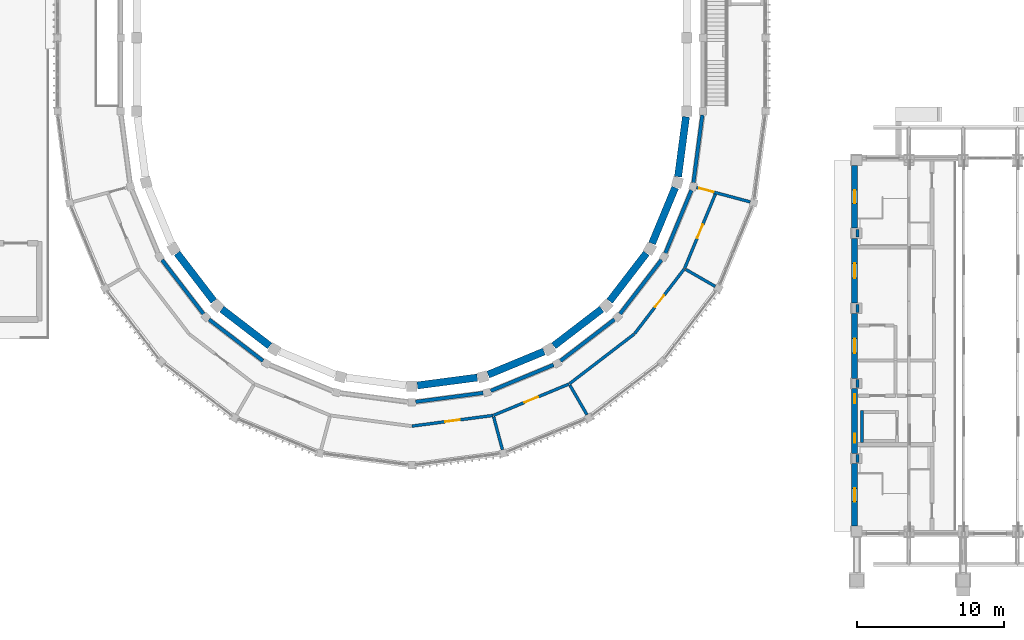
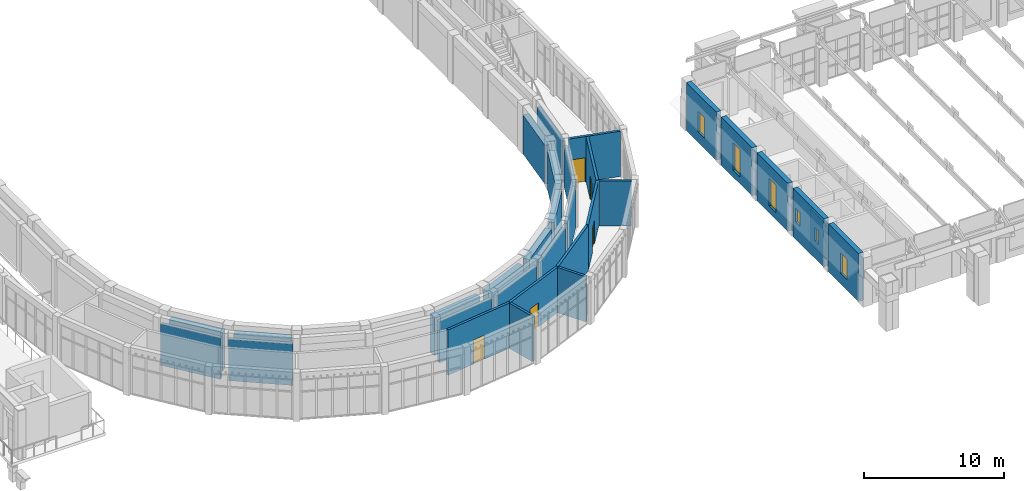
# One storey, part 55 of 99: 35 walls, 6 windows, 5 doors, 11 openings.
"""IFC4 building model written with IfcOpenShell, lengths in metres."""

from ifc_helpers import new_model, si_unit, direction, frame, frame_2d, origin, place, context, subcontext, project, spatial, rectangle, extrude, material, layer, layer_set, type_object, element, fill, save


model = new_model("IFC4")

# Units and contexts
model_context = context("Model", 3, precision=1e-05, world=origin(), true_north=direction((0.0, 1.0)))
body_context = subcontext(model_context, "Body", "Model", "MODEL_VIEW")
ifc_project = project(units=[si_unit("LENGTHUNIT", "METRE"), si_unit("AREAUNIT", "SQUARE_METRE"), si_unit("VOLUMEUNIT", "CUBIC_METRE"), si_unit("PLANEANGLEUNIT", "RADIAN"), si_unit("MASSUNIT", "GRAM", prefix="KILO")], contexts=[model_context])

# Site, building, storey
site_placement = place(None, origin())
site = spatial("IfcSite", under=ifc_project, at=site_placement, CompositionType="ELEMENT")
building_placement = place(site_placement, origin())
building = spatial("IfcBuilding", under=site, at=building_placement, Name="Wasatch Bagh Community Centre", CompositionType="ELEMENT")
storey_placement = place(building_placement, frame((0.0, 0.0, 4.199951171875)))
storey = spatial("IfcBuildingStorey", under=building, at=storey_placement, Name="L01", CompositionType="ELEMENT", Elevation=4.199951171875)

# Wall
ifc_material_1 = material(Name="Concrete C40", Category="concrete")
ifc_layer_1 = layer(ifc_material_1, 0.199951171875)
ifc_layer_set_1 = layer_set([ifc_layer_1], Name="Concrete C40")
wall_type_1 = type_object("IfcWallType", Name="DH RC WALL 200 shear", PredefinedType="SHEAR", material=ifc_layer_set_1)
wall_1_placement = place(storey_placement, frame((66.699951171875, 12.39990234375, 0.0), z_axis=(0.0, 0.0, 1.0), x_axis=(0.0, 1.0, 0.0)))
element("IfcWall", 1, at=wall_1_placement, inside=storey, type_object=wall_type_1, Name="DH.core.LF4.L01.W", PredefinedType="SHEAR", context=body_context, shape_type="SweptSolid", body=[
    extrude(rectangle(XDim=2.2001953125, YDim=0.199951171875, at=frame_2d((1.10009765625, 0.0))), origin(), (0.0, 0.0, 1.0), 3.10009765625),
])

# Wall, opening, window
ifc_layer_2 = layer(ifc_material_1, 0.39990234375)
ifc_layer_set_2 = layer_set([ifc_layer_2], Name="Concrete C40")
wall_type_2 = type_object("IfcWallType", Name="DH RC WALL 400 solidwall", PredefinedType="SOLIDWALL", material=ifc_layer_set_2)
wall_2_placement = place(storey_placement, frame((66.199951171875, 6.699951171875, 0.0), z_axis=(0.0, 0.0, 1.0), x_axis=(0.0, 1.0, 0.0)))
wall_2 = element("IfcWall", 2, at=wall_2_placement, inside=storey, type_object=wall_type_2, Name="DH.wall.L01.17", PredefinedType="SOLIDWALL", context=body_context, shape_type="SweptSolid", body=[
    extrude(rectangle(XDim=4.27001953125, YDim=0.39990234375, at=frame_2d((2.135009765625, 0.0))), origin(), (0.0, 0.0, 1.0), 4.199951171875),
])
opening_1_placement = place(wall_2_placement, frame((1.68505859375, 0.0, 0.89990234375)))
opening_1 = element("IfcOpeningElement", 3, at=opening_1_placement, cuts=wall_2, Name="Opening 1D-W11", PredefinedType="OPENING", context=body_context, shape_type="SweptSolid", body=[
    extrude(rectangle(XDim=0.89990234375, YDim=1.800048828125, at=frame_2d((0.449951171875, 0.89990234375))), frame((0.0, 0.2099609375, 0.0), z_axis=(0.0, -1.0, 0.0), x_axis=(1.0, 0.0, 0.0)), (0.0, 0.0, 1.0), 0.419921875),
])
ifc_material_2 = material(Name="Aluminium frame with double glazing", Category="aluminium")
window_type_1 = type_object("IfcWindowType", Name="DH window 900x1800", PartitioningType="SINGLE_PANEL", PredefinedType="WINDOW", material=ifc_material_2)
window_1_placement = place(opening_1_placement, origin())
window_1 = element("IfcWindow", 4, at=window_1_placement, inside=storey, type_object=window_type_1, Name="DH.window.L01.1D-W11", OverallHeight=1.800048828125, OverallWidth=0.89990234375, PartitioningType="SINGLE_PANEL", PredefinedType="WINDOW", context=body_context, shape_type="SweptSolid", body=[
    extrude(rectangle(XDim=0.89990234375, YDim=1.800048828125, at=frame_2d((0.449951171875, 0.89990234375))), frame((0.0, 0.030029296875, 0.0), z_axis=(0.0, -1.0, 0.0), x_axis=(1.0, 0.0, 0.0)), (0.0, 0.0, 1.0), 0.06005859375),
])
fill(opening_1, window_1)

# Wall, openings, windows
wall_3_placement = place(storey_placement, frame((66.199951171875, 11.669921875, 0.0), z_axis=(0.0, 0.0, 1.0), x_axis=(0.0, 1.0, 0.0)))
wall_3 = element("IfcWall", 5, at=wall_3_placement, inside=storey, type_object=wall_type_2, Name="DH.wall.L01.18", PredefinedType="SOLIDWALL", context=body_context, shape_type="SweptSolid", body=[
    extrude(rectangle(XDim=4.420166015625, YDim=0.39990234375, at=frame_2d((2.2099609375, 0.0))), origin(), (0.0, 0.0, 1.0), 4.199951171875),
])
opening_2_placement = place(wall_3_placement, frame((0.72998046875, 0.0, 1.5)))
opening_2 = element("IfcOpeningElement", 6, at=opening_2_placement, cuts=wall_3, Name="Opening 1D-W12", PredefinedType="OPENING", context=body_context, shape_type="SweptSolid", body=[
    extrude(rectangle(XDim=0.60009765625, YDim=1.199951171875, at=frame_2d((0.300048828125, 0.60009765625))), frame((0.0, 0.2099609375, 0.0), z_axis=(0.0, -1.0, 0.0), x_axis=(1.0, 0.0, 0.0)), (0.0, 0.0, 1.0), 0.419921875),
])
opening_3_placement = place(wall_3_placement, frame((3.429931640625, 0.0, 1.5)))
opening_3 = element("IfcOpeningElement", 7, at=opening_3_placement, cuts=wall_3, Name="Opening 1D-W13", PredefinedType="OPENING", context=body_context, shape_type="SweptSolid", body=[
    extrude(rectangle(XDim=0.60009765625, YDim=1.199951171875, at=frame_2d((0.300048828125, 0.60009765625))), frame((0.0, 0.2099609375, 0.0), z_axis=(0.0, -1.0, 0.0), x_axis=(1.0, 0.0, 0.0)), (0.0, 0.0, 1.0), 0.419921875),
])
window_type_2 = type_object("IfcWindowType", Name="DH window 600x1200", PartitioningType="SINGLE_PANEL", PredefinedType="WINDOW", material=ifc_material_2)
window_2_placement = place(opening_2_placement, origin())
window_2 = element("IfcWindow", 8, at=window_2_placement, inside=storey, type_object=window_type_2, Name="DH.window.L01.1D-W12", OverallHeight=1.199951171875, OverallWidth=0.60009765625, PartitioningType="SINGLE_PANEL", PredefinedType="WINDOW", context=body_context, shape_type="SweptSolid", body=[
    extrude(rectangle(XDim=0.60009765625, YDim=1.199951171875, at=frame_2d((0.300048828125, 0.60009765625))), frame((0.0, 0.030029296875, 0.0), z_axis=(0.0, -1.0, 0.0), x_axis=(1.0, 0.0, 0.0)), (0.0, 0.0, 1.0), 0.06005859375),
])
fill(opening_2, window_2)
window_3_placement = place(opening_3_placement, origin())
window_3 = element("IfcWindow", 9, at=window_3_placement, inside=storey, type_object=window_type_2, Name="DH.window.L01.1D-W13", OverallHeight=1.199951171875, OverallWidth=0.60009765625, PartitioningType="SINGLE_PANEL", PredefinedType="WINDOW", context=body_context, shape_type="SweptSolid", body=[
    extrude(rectangle(XDim=0.60009765625, YDim=1.199951171875, at=frame_2d((0.300048828125, 0.60009765625))), frame((0.0, 0.030029296875, 0.0), z_axis=(0.0, -1.0, 0.0), x_axis=(1.0, 0.0, 0.0)), (0.0, 0.0, 1.0), 0.06005859375),
])
fill(opening_3, window_3)

# Wall, opening, window
wall_4_placement = place(storey_placement, frame((66.199951171875, 16.7900390625, 0.0), z_axis=(0.0, 0.0, 1.0), x_axis=(0.0, 1.0, 0.0)))
wall_4 = element("IfcWall", 10, at=wall_4_placement, inside=storey, type_object=wall_type_2, Name="DH.wall.L01.19", PredefinedType="SOLIDWALL", context=body_context, shape_type="SweptSolid", body=[
    extrude(rectangle(XDim=4.419921875, YDim=0.39990234375, at=frame_2d((2.2099609375, 0.0))), origin(), (0.0, 0.0, 1.0), 4.199951171875),
])
opening_4_placement = place(wall_4_placement, frame((1.7099609375, 0.0, 0.60009765625)))
opening_4 = element("IfcOpeningElement", 11, at=opening_4_placement, cuts=wall_4, Name="Opening 1D-W14", PredefinedType="OPENING", context=body_context, shape_type="SweptSolid", body=[
    extrude(rectangle(XDim=1.0, YDim=2.39990234375, at=frame_2d((0.5, 1.199951171875))), frame((0.0, 0.2099609375, 0.0), z_axis=(0.0, -1.0, 0.0), x_axis=(1.0, 0.0, 0.0)), (0.0, 0.0, 1.0), 0.419921875),
])
window_type_3 = type_object("IfcWindowType", Name="DH window 1000x2400", PartitioningType="SINGLE_PANEL", PredefinedType="WINDOW", material=ifc_material_2)
window_4_placement = place(opening_4_placement, origin())
window_4 = element("IfcWindow", 12, at=window_4_placement, inside=storey, type_object=window_type_3, Name="DH.window.L01.1D-W14", OverallHeight=2.39990234375, OverallWidth=1.0, PartitioningType="SINGLE_PANEL", PredefinedType="WINDOW", context=body_context, shape_type="SweptSolid", body=[
    extrude(rectangle(XDim=1.0, YDim=2.39990234375, at=frame_2d((0.5, 1.199951171875))), frame((0.0, 0.030029296875, 0.0), z_axis=(0.0, -1.0, 0.0), x_axis=(1.0, 0.0, 0.0)), (0.0, 0.0, 1.0), 0.06005859375),
])
fill(opening_4, window_4)

wall_5_placement = place(storey_placement, frame((66.199951171875, 21.909912109375, 0.0), z_axis=(0.0, 0.0, 1.0), x_axis=(0.0, 1.0, 0.0)))
wall_5 = element("IfcWall", 13, at=wall_5_placement, inside=storey, type_object=wall_type_2, Name="DH.wall.L01.20", PredefinedType="SOLIDWALL", context=body_context, shape_type="SweptSolid", body=[
    extrude(rectangle(XDim=4.420166015625, YDim=0.39990234375, at=frame_2d((2.2099609375, 0.0))), origin(), (0.0, 0.0, 1.0), 4.199951171875),
])
opening_5_placement = place(wall_5_placement, frame((1.7099609375, 0.0, 0.60009765625)))
opening_5 = element("IfcOpeningElement", 14, at=opening_5_placement, cuts=wall_5, Name="Opening 1D-W15", PredefinedType="OPENING", context=body_context, shape_type="SweptSolid", body=[
    extrude(rectangle(XDim=1.0, YDim=2.39990234375, at=frame_2d((0.5, 1.199951171875))), frame((0.0, 0.2099609375, 0.0), z_axis=(0.0, -1.0, 0.0), x_axis=(1.0, 0.0, 0.0)), (0.0, 0.0, 1.0), 0.419921875),
])
window_5_placement = place(opening_5_placement, origin())
window_5 = element("IfcWindow", 15, at=window_5_placement, inside=storey, type_object=window_type_3, Name="DH.window.L01.1D-W15", OverallHeight=2.39990234375, OverallWidth=1.0, PartitioningType="SINGLE_PANEL", PredefinedType="WINDOW", context=body_context, shape_type="SweptSolid", body=[
    extrude(rectangle(XDim=1.0, YDim=2.39990234375, at=frame_2d((0.5, 1.199951171875))), frame((0.0, 0.030029296875, 0.0), z_axis=(0.0, -1.0, 0.0), x_axis=(1.0, 0.0, 0.0)), (0.0, 0.0, 1.0), 0.06005859375),
])
fill(opening_5, window_5)

wall_6_placement = place(storey_placement, frame((66.199951171875, 27.030029296875, 0.0), z_axis=(0.0, 0.0, 1.0), x_axis=(0.0, 1.0, 0.0)))
wall_6 = element("IfcWall", 16, at=wall_6_placement, inside=storey, type_object=wall_type_2, Name="DH.wall.L01.21", PredefinedType="SOLIDWALL", context=body_context, shape_type="SweptSolid", body=[
    extrude(rectangle(XDim=4.27001953125, YDim=0.39990234375, at=frame_2d((2.135009765625, 0.0))), origin(), (0.0, 0.0, 1.0), 4.199951171875),
])
opening_6_placement = place(wall_6_placement, frame((1.68505859375, 0.0, 0.89990234375)))
opening_6 = element("IfcOpeningElement", 17, at=opening_6_placement, cuts=wall_6, Name="Opening 1D-W16", PredefinedType="OPENING", context=body_context, shape_type="SweptSolid", body=[
    extrude(rectangle(XDim=0.89990234375, YDim=1.800048828125, at=frame_2d((0.449951171875, 0.89990234375))), frame((0.0, 0.2099609375, 0.0), z_axis=(0.0, -1.0, 0.0), x_axis=(1.0, 0.0, 0.0)), (0.0, 0.0, 1.0), 0.419921875),
])
window_6_placement = place(opening_6_placement, origin())
window_6 = element("IfcWindow", 18, at=window_6_placement, inside=storey, type_object=window_type_1, Name="DH.window.L01.1D-W16", OverallHeight=1.800048828125, OverallWidth=0.89990234375, PartitioningType="SINGLE_PANEL", PredefinedType="WINDOW", context=body_context, shape_type="SweptSolid", body=[
    extrude(rectangle(XDim=0.89990234375, YDim=1.800048828125, at=frame_2d((0.449951171875, 0.89990234375))), frame((0.0, 0.030029296875, 0.0), z_axis=(0.0, -1.0, 0.0), x_axis=(1.0, 0.0, 0.0)), (0.0, 0.0, 1.0), 0.06005859375),
])
fill(opening_6, window_6)

# Walls
ifc_material_3 = material(Name="Hollow block masonry, medium weight (ASTM Grade N)", Category="masonry")
ifc_layer_3 = layer(ifc_material_3, 0.2099609375)
ifc_layer_set_3 = layer_set([ifc_layer_3], Name="Hollow block masonry, medium weight (ASTM Grade N)")
wall_type_3 = type_object("IfcWallType", Name="DH partition 210", PredefinedType="PARTITIONING", material=ifc_layer_set_3)
for number, where, z_axis, x_axis, name in (
    (19, (66.39990234375, 11.590087890625, 0.0), (0.0, 0.0, 1.0), (0.0, -1.0, 0.0), "DH.part.L01.001"),
    (20, (66.39990234375, 16.7099609375, 0.0), (0.0, 0.0, 1.0), (0.0, -1.0, 0.0), "DH.part.L01.002"),
    (21, (66.39990234375, 21.830078125, 0.0), (0.0, 0.0, 1.0), (0.0, -1.0, 0.0), "DH.part.L01.003"),
    (22, (66.39990234375, 26.949951171875, 0.0), (0.0, 0.0, 1.0), (0.0, -1.0, 0.0), "DH.part.L01.004"),
):
    element("IfcWall", number, at=place(storey_placement, frame(where, z_axis=z_axis, x_axis=x_axis)), inside=storey, type_object=wall_type_3, Name=name, PredefinedType="PARTITIONING", context=body_context, shape_type="SweptSolid", body=[
        extrude(rectangle(XDim=0.5400390625, YDim=0.2099609375, at=frame_2d((0.27001953125, 0.0))), origin(), (0.0, 0.0, 1.0), 3.10009765625),
    ])

# Wall, opening, door
ifc_layer_4 = layer(ifc_material_1, 0.199951171875)
ifc_layer_set_4 = layer_set([ifc_layer_4], Name="Concrete C40")
wall_type_4 = type_object("IfcWallType", Name="Drum core wall RC WALL 200", PredefinedType="STANDARD", material=ifc_layer_set_4)
wall_7_placement = place(storey_placement, frame((55.4150390625, 29.7978515625, 0.0), z_axis=(0.0, 0.0, 1.0), x_axis=(0.965919660258, -0.258842055948, 0.0)))
wall_7 = element("IfcWall", 23, at=wall_7_placement, inside=storey, type_object=wall_type_4, Name="Partition 11", PredefinedType="STANDARD", context=body_context, shape_type="SweptSolid", body=[
    extrude(rectangle(XDim=3.800048828125, YDim=0.199951171875, at=frame_2d((1.89990234375, 0.0))), origin(), (0.0, 0.0, 1.0), 3.949951171875),
])
opening_7_placement = place(wall_7_placement, frame((0.199951171875, 0.0, 0.0)))
opening_7 = element("IfcOpeningElement", 24, at=opening_7_placement, cuts=wall_7, Name="Opening 0F-22", PredefinedType="OPENING", context=body_context, shape_type="SweptSolid", body=[
    extrude(rectangle(XDim=1.0, YDim=2.10009765625, at=frame_2d((0.5, 1.050048828125))), frame((0.0, 0.10986328125, 0.0), z_axis=(0.0, -1.0, 0.0), x_axis=(1.0, 0.0, 0.0)), (0.0, 0.0, 1.0), 0.219970703125),
])
ifc_material_4 = material(Name="Timber door leaf in steel frame", Category="steel")
door_type = type_object("IfcDoorType", Name="Drum door single 1000 x 2100", OperationType="SINGLE_SWING_LEFT", PredefinedType="DOOR", material=ifc_material_4)
door_1_placement = place(opening_7_placement, origin())
door_1 = element("IfcDoor", 25, at=door_1_placement, inside=storey, type_object=door_type, Name="Door 0F-22", OperationType="SINGLE_SWING_RIGHT", OverallHeight=2.10009765625, OverallWidth=1.0, PredefinedType="DOOR", context=body_context, shape_type="SweptSolid", body=[
    extrude(rectangle(XDim=1.0, YDim=2.10009765625, at=frame_2d((0.5, 1.050048828125))), frame((0.0, 0.02490234375, 0.0), z_axis=(0.0, -1.0, 0.0), x_axis=(1.0, 0.0, 0.0)), (0.0, 0.0, 1.0), 0.050048828125),
])
fill(opening_7, door_1)

# Walls
ifc_layer_5 = layer(ifc_material_1, 0.25)
ifc_layer_set_5 = layer_set([ifc_layer_5], Name="Concrete C40")
wall_type_5 = type_object("IfcWallType", Name="Drum inner wall RC WALL 250", PredefinedType="SHEAR", material=ifc_layer_set_5)
for number, where, z_axis, x_axis, name in (
    (26, (18.97314453125, 24.861572265625, 0.0), (0.0, 0.0, 1.0), (0.608762612058, -0.793352432504, 0.0), "Inner wall 3"),
    (27, (22.177490234375, 20.800048828125, 0.0), (0.0, 0.0, 1.0), (0.793352432504, -0.608762612058, 0.0), "Inner wall 4"),
    (28, (36.266845703125, 15.18505859375, 0.0), (0.0, 0.0, 1.0), (0.991442839224, 0.130541551055, 0.0), "Inner wall 7"),
):
    element("IfcWall", number, at=place(storey_placement, frame(where, z_axis=z_axis, x_axis=x_axis)), inside=storey, type_object=wall_type_5, Name=name, PredefinedType="SHEAR", context=body_context, shape_type="SweptSolid", body=[
        extrude(rectangle(XDim=4.643798828125, YDim=0.25, at=frame_2d((2.32177734375, 0.0))), origin(), (0.0, 0.0, 1.0), 3.60009765625),
    ])
wall_8_placement = place(storey_placement, frame((41.38623046875, 15.929443359375, 0.0), z_axis=(0.0, 0.0, 1.0), x_axis=(0.923889955309, 0.382658268537, 0.0)))
element("IfcWall", 29, at=wall_8_placement, inside=storey, type_object=wall_type_5, Name="Inner wall 8", PredefinedType="SHEAR", context=body_context, shape_type="SweptSolid", body=[
    extrude(rectangle(XDim=4.6435546875, YDim=0.25, at=frame_2d((2.32177734375, 0.0))), origin(), (0.0, 0.0, 1.0), 3.60009765625),
])
for number, where, z_axis, x_axis, name in (
    (30, (46.138427734375, 17.97314453125, 0.0), (0.0, 0.0, 1.0), (0.793352432504, 0.608762612058, 0.0), "Inner wall 9"),
    (31, (50.199951171875, 21.177490234375, 0.0), (0.0, 0.0, 1.0), (0.608762612058, 0.793352432504, 0.0), "Inner wall 10"),
):
    element("IfcWall", number, at=place(storey_placement, frame(where, z_axis=z_axis, x_axis=x_axis)), inside=storey, type_object=wall_type_5, Name=name, PredefinedType="SHEAR", context=body_context, shape_type="SweptSolid", body=[
        extrude(rectangle(XDim=4.643798828125, YDim=0.25, at=frame_2d((2.32177734375, 0.0))), origin(), (0.0, 0.0, 1.0), 3.60009765625),
    ])
wall_9_placement = place(storey_placement, frame((53.293701171875, 25.32373046875, 0.0), z_axis=(0.0, 0.0, 1.0), x_axis=(0.382658268537, 0.923889955309, 0.0)))
element("IfcWall", 32, at=wall_9_placement, inside=storey, type_object=wall_type_5, Name="Inner wall 11", PredefinedType="SHEAR", context=body_context, shape_type="SweptSolid", body=[
    extrude(rectangle(XDim=4.6435546875, YDim=0.25, at=frame_2d((2.32177734375, 0.0))), origin(), (0.0, 0.0, 1.0), 3.60009765625),
])
wall_10_placement = place(storey_placement, frame((55.208740234375, 30.129150390625, 0.0), z_axis=(0.0, 0.0, 1.0), x_axis=(0.130541551055, 0.991442839224, 0.0)))
element("IfcWall", 33, at=wall_10_placement, inside=storey, type_object=wall_type_5, Name="Inner wall 12", PredefinedType="SHEAR", context=body_context, shape_type="SweptSolid", body=[
    extrude(rectangle(XDim=4.643798828125, YDim=0.25, at=frame_2d((2.32177734375, 0.0))), origin(), (0.0, 0.0, 1.0), 3.60009765625),
])
ifc_material_5 = material(Name="Gypsum board partition on steel studs", Category="steel")
ifc_layer_6 = layer(ifc_material_5, 0.199951171875)
ifc_layer_set_6 = layer_set([ifc_layer_6], Name="Gypsum board partition on steel studs")
wall_type_6 = type_object("IfcWallType", Name="Drum partition 200", PredefinedType="PARTITIONING", material=ifc_layer_set_6)
for number, where, z_axis, x_axis, name in (
    (34, (41.584228515625, 14.1591796875, 0.0), (0.0, 0.0, 1.0), (0.258839350642, -0.965920385207, 0.0), "Partition 07"),
    (35, (46.7880859375, 16.314697265625, 0.0), (0.0, 0.0, 1.0), (0.499946767237, -0.866056135553, 0.0), "Partition 08"),
    (36, (54.685302734375, 24.2119140625, 0.0), (0.0, 0.0, 1.0), (0.866056135553, -0.499946767237, 0.0), "Partition 10"),
):
    element("IfcWall", number, at=place(storey_placement, frame(where, z_axis=z_axis, x_axis=x_axis)), inside=storey, type_object=wall_type_6, Name=name, PredefinedType="PARTITIONING", context=body_context, shape_type="SweptSolid", body=[
        extrude(rectangle(XDim=2.323974609375, YDim=0.199951171875, at=frame_2d((1.162109375, 0.0))), origin(), (0.0, 0.0, 1.0), 3.949951171875),
    ])

# Wall, opening, door
wall_11_placement = place(storey_placement, frame((36.019775390625, 13.527587890625, 0.0), z_axis=(0.0, 0.0, 1.0), x_axis=(0.99144414081, 0.130531665327, 0.0)))
wall_11 = element("IfcWall", 37, at=wall_11_placement, inside=storey, type_object=wall_type_6, Name="Corridor wall 7", PredefinedType="PARTITIONING", context=body_context, shape_type="SweptSolid", body=[
    extrude(rectangle(XDim=5.566162109375, YDim=0.199951171875, at=frame_2d((2.783203125, 0.0))), origin(), (0.0, 0.0, 1.0), 3.949951171875),
])
opening_8_placement = place(wall_11_placement, frame((2.282958984375, 0.0, 0.0)))
opening_8 = element("IfcOpeningElement", 38, at=opening_8_placement, cuts=wall_11, Name="Opening 0F-32", PredefinedType="OPENING", context=body_context, shape_type="SweptSolid", body=[
    extrude(rectangle(XDim=1.0, YDim=2.10009765625, at=frame_2d((0.5, 1.050048828125))), frame((0.0, 0.10986328125, 0.0), z_axis=(0.0, -1.0, 0.0), x_axis=(1.0, 0.0, 0.0)), (0.0, 0.0, 1.0), 0.219970703125),
])
door_2_placement = place(opening_8_placement, origin())
door_2 = element("IfcDoor", 39, at=door_2_placement, inside=storey, type_object=door_type, Name="Door 0F-32", OperationType="SINGLE_SWING_RIGHT", OverallHeight=2.10009765625, OverallWidth=1.0, PredefinedType="DOOR", context=body_context, shape_type="SweptSolid", body=[
    extrude(rectangle(XDim=1.0, YDim=2.10009765625, at=frame_2d((0.5, 1.050048828125))), frame((0.0, 0.02490234375, 0.0), z_axis=(0.0, -1.0, 0.0), x_axis=(1.0, 0.0, 0.0)), (0.0, 0.0, 1.0), 0.050048828125),
])
fill(opening_8, door_2)

wall_12_placement = place(storey_placement, frame((41.57666015625, 14.264404296875, 0.0), z_axis=(0.0, 0.0, 1.0), x_axis=(0.923873023247, 0.382699146742, 0.0)))
wall_12 = element("IfcWall", 40, at=wall_12_placement, inside=storey, type_object=wall_type_6, Name="Corridor wall 8", PredefinedType="PARTITIONING", context=body_context, shape_type="SweptSolid", body=[
    extrude(rectangle(XDim=5.566162109375, YDim=0.199951171875, at=frame_2d((2.783203125, 0.0))), origin(), (0.0, 0.0, 1.0), 3.949951171875),
])
opening_9_placement = place(wall_12_placement, frame((2.282958984375, 0.0, 0.0)))
opening_9 = element("IfcOpeningElement", 41, at=opening_9_placement, cuts=wall_12, Name="Opening 0F-33", PredefinedType="OPENING", context=body_context, shape_type="SweptSolid", body=[
    extrude(rectangle(XDim=1.0, YDim=2.10009765625, at=frame_2d((0.5, 1.050048828125))), frame((0.0, 0.10986328125, 0.0), z_axis=(0.0, -1.0, 0.0), x_axis=(1.0, 0.0, 0.0)), (0.0, 0.0, 1.0), 0.219970703125),
])
door_3_placement = place(opening_9_placement, origin())
door_3 = element("IfcDoor", 42, at=door_3_placement, inside=storey, type_object=door_type, Name="Door 0F-33", OperationType="SINGLE_SWING_LEFT", OverallHeight=2.10009765625, OverallWidth=1.0, PredefinedType="DOOR", context=body_context, shape_type="SweptSolid", body=[
    extrude(rectangle(XDim=1.0, YDim=2.10009765625, at=frame_2d((0.5, 1.050048828125))), frame((0.0, 0.02490234375, 0.0), z_axis=(0.0, -1.0, 0.0), x_axis=(1.0, 0.0, 0.0)), (0.0, 0.0, 1.0), 0.050048828125),
])
fill(opening_9, door_3)

# Wall
wall_13_placement = place(storey_placement, frame((46.75341796875, 16.414306640625, 0.0), z_axis=(0.0, 0.0, 1.0), x_axis=(0.793345782417, 0.608771278496, 0.0)))
element("IfcWall", 43, at=wall_13_placement, inside=storey, type_object=wall_type_6, Name="Corridor wall 9", PredefinedType="PARTITIONING", context=body_context, shape_type="SweptSolid", body=[
    extrude(rectangle(XDim=5.56591796875, YDim=0.199951171875, at=frame_2d((2.782958984375, 0.0))), origin(), (0.0, 0.0, 1.0), 3.949951171875),
])

# Wall, opening, door
wall_14_placement = place(storey_placement, frame((51.197265625, 19.830810546875, 0.0), z_axis=(0.0, 0.0, 1.0), x_axis=(0.608771278496, 0.793345782417, 0.0)))
wall_14 = element("IfcWall", 44, at=wall_14_placement, inside=storey, type_object=wall_type_6, Name="Corridor wall 10", PredefinedType="PARTITIONING", context=body_context, shape_type="SweptSolid", body=[
    extrude(rectangle(XDim=5.56591796875, YDim=0.199951171875, at=frame_2d((2.782958984375, 0.0))), origin(), (0.0, 0.0, 1.0), 3.949951171875),
])
opening_10_placement = place(wall_14_placement, frame((2.282958984375, 0.0, 0.0)))
opening_10 = element("IfcOpeningElement", 45, at=opening_10_placement, cuts=wall_14, Name="Opening 0F-34", PredefinedType="OPENING", context=body_context, shape_type="SweptSolid", body=[
    extrude(rectangle(XDim=1.0, YDim=2.10009765625, at=frame_2d((0.5, 1.050048828125))), frame((0.0, 0.10986328125, 0.0), z_axis=(0.0, -1.0, 0.0), x_axis=(1.0, 0.0, 0.0)), (0.0, 0.0, 1.0), 0.219970703125),
])
door_4_placement = place(opening_10_placement, origin())
door_4 = element("IfcDoor", 46, at=door_4_placement, inside=storey, type_object=door_type, Name="Door 0F-34", OperationType="SINGLE_SWING_RIGHT", OverallHeight=2.10009765625, OverallWidth=1.0, PredefinedType="DOOR", context=body_context, shape_type="SweptSolid", body=[
    extrude(rectangle(XDim=1.0, YDim=2.10009765625, at=frame_2d((0.5, 1.050048828125))), frame((0.0, 0.02490234375, 0.0), z_axis=(0.0, -1.0, 0.0), x_axis=(1.0, 0.0, 0.0)), (0.0, 0.0, 1.0), 0.050048828125),
])
fill(opening_10, door_4)

wall_15_placement = place(storey_placement, frame((54.60546875, 24.281005859375, 0.0), z_axis=(0.0, 0.0, 1.0), x_axis=(0.382696372992, 0.923874172222, 0.0)))
wall_15 = element("IfcWall", 47, at=wall_15_placement, inside=storey, type_object=wall_type_6, Name="Corridor wall 11", PredefinedType="PARTITIONING", context=body_context, shape_type="SweptSolid", body=[
    extrude(rectangle(XDim=5.48583984375, YDim=0.199951171875, at=frame_2d((2.742919921875, 0.0))), origin(), (0.0, 0.0, 1.0), 3.949951171875),
])
opening_11_placement = place(wall_15_placement, frame((2.242919921875, 0.0, 0.0)))
opening_11 = element("IfcOpeningElement", 48, at=opening_11_placement, cuts=wall_15, Name="Opening 0F-35", PredefinedType="OPENING", context=body_context, shape_type="SweptSolid", body=[
    extrude(rectangle(XDim=1.0, YDim=2.10009765625, at=frame_2d((0.5, 1.050048828125))), frame((0.0, 0.10986328125, 0.0), z_axis=(0.0, -1.0, 0.0), x_axis=(1.0, 0.0, 0.0)), (0.0, 0.0, 1.0), 0.219970703125),
])
door_5_placement = place(opening_11_placement, origin())
door_5 = element("IfcDoor", 49, at=door_5_placement, inside=storey, type_object=door_type, Name="Door 0F-35", OperationType="SINGLE_SWING_LEFT", OverallHeight=2.10009765625, OverallWidth=1.0, PredefinedType="DOOR", context=body_context, shape_type="SweptSolid", body=[
    extrude(rectangle(XDim=1.0, YDim=2.10009765625, at=frame_2d((0.5, 1.050048828125))), frame((0.0, 0.02490234375, 0.0), z_axis=(0.0, -1.0, 0.0), x_axis=(1.0, 0.0, 0.0)), (0.0, 0.0, 1.0), 0.050048828125),
])
fill(opening_11, door_5)

# Walls
ifc_layer_7 = layer(ifc_material_1, 0.5)
ifc_layer_set_7 = layer_set([ifc_layer_7], Name="Concrete C40")
wall_type_7 = type_object("IfcWallType", Name="MH wall RC WALL 500", PredefinedType="SHEAR", material=ifc_layer_set_7)
for number, where, z_axis, x_axis, name in (
    (50, (19.997314453125, 25.318359375, 0.0), (0.0, 0.0, 1.0), (0.60877717335, -0.793341258985, 0.0), "Capsule wall 3"),
    (51, (23.04833984375, 21.506591796875, 0.0), (0.0, 0.0, 1.0), (0.793341258985, -0.60877717335, 0.0), "Capsule wall 4"),
    (52, (36.383056640625, 16.300537109375, 0.0), (0.0, 0.0, 1.0), (0.991450464722, 0.130483623501, 0.0), "Capsule wall 7"),
    (53, (41.2099609375, 17.036865234375, 0.0), (0.0, 0.0, 1.0), (0.923877504262, 0.382688328955, 0.0), "Capsule wall 8"),
    (54, (45.681640625, 18.997314453125, 0.0), (0.0, 0.0, 1.0), (0.793341258985, 0.60877717335, 0.0), "Capsule wall 9"),
    (55, (49.493408203125, 22.04833984375, 0.0), (0.0, 0.0, 1.0), (0.60877717335, 0.793341258985, 0.0), "Capsule wall 10"),
    (56, (52.3857421875, 25.98193359375, 0.0), (0.0, 0.0, 1.0), (0.382688328955, 0.923877504262, 0.0), "Capsule wall 11"),
    (57, (54.16162109375, 30.5302734375, 0.0), (0.0, 0.0, 1.0), (0.130483623501, 0.991450464722, 0.0), "Capsule wall 12"),
):
    element("IfcWall", number, at=place(storey_placement, frame(where, z_axis=z_axis, x_axis=x_axis)), inside=storey, type_object=wall_type_7, Name=name, PredefinedType="SHEAR", context=body_context, shape_type="SweptSolid", body=[
        extrude(rectangle(XDim=4.121826171875, YDim=0.5, at=frame_2d((2.06103515625, 0.0))), origin(), (0.0, 0.0, 1.0), 3.400146484375),
    ])

save(model, "model.ifc")
